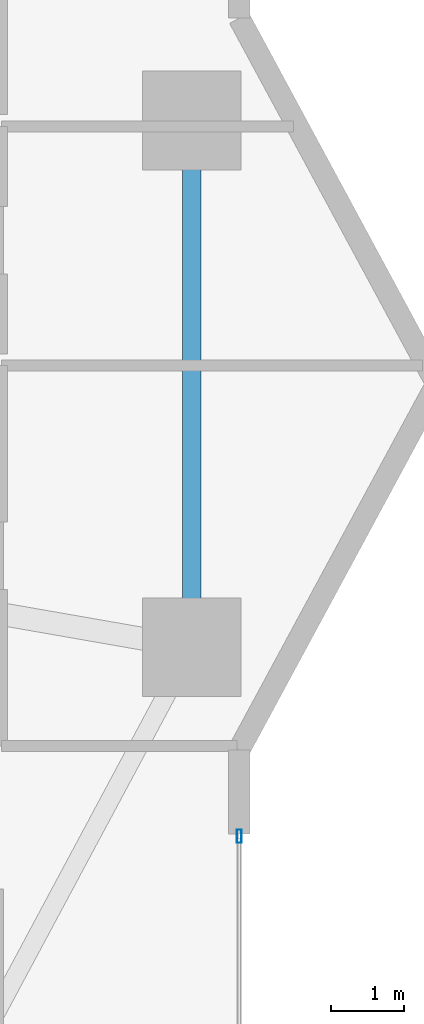
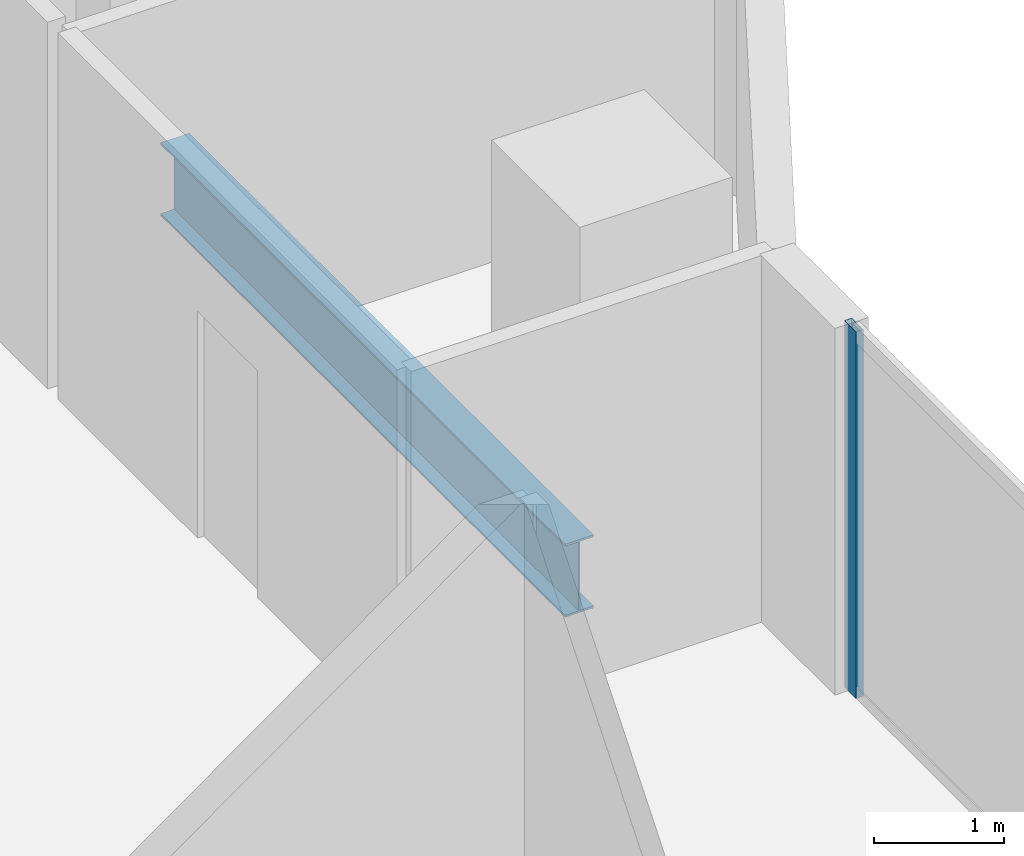
# One storey, part 13 of 27: 1 beam, 1 member, 1 element without a shape of its own.
"""IFC4 building model written with IfcOpenShell, lengths in metres."""

import ifcopenshell
import ifcopenshell.guid

model = None  # the IFC model being written
_history = None  # IfcOwnerHistory: only IFC2X3 demands one
_inside = {}  # id of a spatial element -> (the spatial element, [elements in it])
_under = {}  # id of a project, library or spatial element -> (it, [spatial elements below it])
_declared = {}  # id of a project -> (the project, [libraries it declares])
_typed = {}  # id of a type object -> (the type object, [elements of that type])
_made_of = {}  # id of a material, layer set ... -> (it, [elements and type objects made of it])


def new_model(schema):
    """Start an empty IFC model of exactly this schema.

    Asked for "IFC4X3", IfcOpenShell would pick the latest addendum, in which some entities
    have other attributes; the version numbers below select the first issue.
    IFC2X3 requires an IfcOwnerHistory on every rooted entity: one is made here for all.
    """
    global model, _history
    if schema == "IFC4X3":
        model = ifcopenshell.file(schema_version=(4, 3, 0, 0))
    else:
        model = ifcopenshell.file(schema=schema)
    _inside.clear()
    _under.clear()
    _declared.clear()
    _typed.clear()
    _made_of.clear()
    _history = None
    if model.schema == "IFC2X3":
        org = make("IfcOrganization", Name="unknown")
        user = make(
            "IfcPersonAndOrganization",
            ThePerson=make("IfcPerson", FamilyName="unknown"),
            TheOrganization=org,
        )
        app = make(
            "IfcApplication",
            ApplicationDeveloper=org,
            Version="unknown",
            ApplicationFullName="unknown",
            ApplicationIdentifier="unknown",
        )
        _history = make(
            "IfcOwnerHistory",
            OwningUser=user,
            OwningApplication=app,
            ChangeAction="ADDED",
            CreationDate=0,
        )
    return model


def make(cls, **values):
    """One entity of the class cls with the attributes given. An attribute that is None is left unset."""
    return model.create_entity(
        cls, **{name: value for name, value in values.items() if value is not None}
    )


def rooted(cls, **values):
    """An entity with a GlobalId (a new one), such as an element, a storey or a relation."""
    return make(cls, GlobalId=ifcopenshell.guid.new(), OwnerHistory=_history, **values)


def si_unit(unit_type, name, prefix=None):
    """IfcSIUnit, for example si_unit("LENGTHUNIT", "METRE", prefix="MILLI")."""
    return make("IfcSIUnit", UnitType=unit_type, Prefix=prefix, Name=name)


def assignment(units):
    """IfcUnitAssignment: the units of a project."""
    return None if units is None else make("IfcUnitAssignment", Units=units)


def point(xyz):
    """IfcCartesianPoint."""
    return None if xyz is None else make("IfcCartesianPoint", Coordinates=xyz)


def direction(xyz):
    """IfcDirection."""
    return None if xyz is None else make("IfcDirection", DirectionRatios=xyz)


def frame(location, z_axis=None, x_axis=None):
    """IfcAxis2Placement3D, a coordinate frame: its origin and axes. An axis left out is left unset."""
    return make(
        "IfcAxis2Placement3D",
        Location=point(location),
        Axis=direction(z_axis),
        RefDirection=direction(x_axis),
    )


def frame_2d(location, x_axis=None):
    """IfcAxis2Placement2D, a coordinate frame in the plane: its origin and x axis."""
    return make(
        "IfcAxis2Placement2D", Location=point(location), RefDirection=direction(x_axis)
    )


def origin():
    """The frame at (0, 0, 0) with its axes left unset."""
    return frame((0.0, 0.0, 0.0))


def origin_2d():
    """The frame at (0, 0) in the plane with its x axis left unset."""
    return frame_2d((0.0, 0.0))


def place(relative_to, where):
    """IfcLocalPlacement: puts the frame where relative to a parent placement (None: the world)."""
    return make(
        "IfcLocalPlacement", PlacementRelTo=relative_to, RelativePlacement=where
    )


def context(
    kind, dimensions, precision=None, world=None, true_north=None, identifier=None
):
    """IfcGeometricRepresentationContext, for example the 3D "Model" context."""
    return make(
        "IfcGeometricRepresentationContext",
        ContextIdentifier=identifier,
        ContextType=kind,
        CoordinateSpaceDimension=dimensions,
        Precision=precision,
        WorldCoordinateSystem=world,
        TrueNorth=true_north,
    )


def subcontext(parent, identifier, kind, view, scale=None):
    """IfcGeometricRepresentationSubContext, for example "Body" below "Model"."""
    return make(
        "IfcGeometricRepresentationSubContext",
        ContextIdentifier=identifier,
        ContextType=kind,
        ParentContext=parent,
        TargetScale=scale,
        TargetView=view,
    )


def project(units=None, contexts=None):
    """IfcProject with its units and contexts."""
    return rooted(
        "IfcProject",
        Name="project",
        RepresentationContexts=contexts,
        UnitsInContext=assignment(units),
    )


def spatial(cls, under=None, at=None, **own):
    """A site, building, storey or space (cls), placed at a placement, below another one or the project."""
    s = rooted(cls, ObjectPlacement=at, **own)
    if under is not None:
        _under.setdefault(under.id(), (under, []))[1].append(s)
    return s


def profile(cls, at=None, kind="AREA", **sizes):
    """A parametric profile (cls). Its sizes go by their IFC names, for example OverallWidth=200.0."""
    return make(cls, ProfileType=kind, Position=at, **sizes)


def hollow_rectangle(**sizes):
    """IfcRectangleHollowProfileDef."""
    return profile("IfcRectangleHollowProfileDef", **sizes)


def i_section(**sizes):
    """IfcIShapeProfileDef."""
    return profile("IfcIShapeProfileDef", **sizes)


def extrude(swept, where, along, depth):
    """IfcExtrudedAreaSolid: the profile swept, set in the frame where, extruded along a direction by depth."""
    return make(
        "IfcExtrudedAreaSolid",
        SweptArea=swept,
        Position=where,
        ExtrudedDirection=direction(along),
        Depth=depth,
    )


def shape(context_of_items, identifier, shape_type, items):
    """IfcShapeRepresentation: the items that make up one representation, for example the "Body"."""
    return make(
        "IfcShapeRepresentation",
        ContextOfItems=context_of_items,
        RepresentationIdentifier=identifier,
        RepresentationType=shape_type,
        Items=items,
    )


def material(Name=None, Category=None):
    """IfcMaterial."""
    return make("IfcMaterial", Name=Name, Category=Category)


def layer(
    of_material, thickness, ventilated=None, Name=None, Category=None, Priority=None
):
    """IfcMaterialLayer: one layer of a wall or slab, of a material (None: an air gap)."""
    return make(
        "IfcMaterialLayer",
        Material=of_material,
        LayerThickness=thickness,
        IsVentilated=ventilated,
        Name=Name,
        Category=Category,
        Priority=Priority,
    )


def layer_set(layers, Name=None):
    """IfcMaterialLayerSet."""
    return make("IfcMaterialLayerSet", MaterialLayers=layers, LayerSetName=Name)


def material_profile(
    of_material, cross_section, Name=None, Category=None, Priority=None
):
    """IfcMaterialProfile: a cross section and its material."""
    return make(
        "IfcMaterialProfile",
        Name=Name,
        Material=of_material,
        Profile=cross_section,
        Priority=Priority,
        Category=Category,
    )


def profile_set(profiles, Name=None, composite=None):
    """IfcMaterialProfileSet."""
    return make(
        "IfcMaterialProfileSet",
        Name=Name,
        MaterialProfiles=profiles,
        CompositeProfile=composite,
    )


def made_of(thing, what):
    """Note that an element or type object is made of a material, layer set ...; save() writes the relation."""
    if what is not None:
        _made_of.setdefault(what.id(), (what, []))[1].append(thing)
    return thing


def type_object(cls, material=None, **own):
    """A type object (cls), such as IfcWallType, which elements share."""
    return made_of(rooted(cls, **own), material)


def element(
    cls,
    number,
    at=None,
    inside=None,
    cuts=None,
    type_object=None,
    material=None,
    context=None,
    identifier="Body",
    shape_type=None,
    held_by="IfcProductDefinitionShape",
    body=None,
    shapes=None,
    **own,
):
    """One element of the class cls, such as IfcWall. Its Tag is "e" and its number.

    at: its placement. inside: the storey or other place that contains it. cuts: it is an
    opening in that element (IfcRelVoidsElement). A single representation is given by context,
    identifier, shape_type and body (its items); several are given by shapes. held_by: the class
    of the entity that holds the representations. save() writes the other relations.
    """
    e = rooted(cls, Tag="e%d" % number, ObjectPlacement=at, **own)
    if body is not None:
        shapes = [shape(context, identifier, shape_type, body)]
    if shapes is not None:
        e.Representation = make(held_by, Representations=shapes)
    if inside is not None:
        _inside.setdefault(inside.id(), (inside, []))[1].append(e)
    if cuts is not None:
        rooted(
            "IfcRelVoidsElement", RelatingBuildingElement=cuts, RelatedOpeningElement=e
        )
    if type_object is not None:
        _typed.setdefault(type_object.id(), (type_object, []))[1].append(e)
    return made_of(e, material)


def aggregate(whole, parts):
    """IfcRelAggregates: a whole, such as a stair, and the parts it consists of."""
    return rooted("IfcRelAggregates", RelatingObject=whole, RelatedObjects=parts)


def save(model, path):
    """Write the relations noted so far, then the file.

    IfcRelAggregates (storeys below a building ...), IfcRelContainedInSpatialStructure (elements
    in a storey), IfcRelDefinesByType, IfcRelAssociatesMaterial and IfcRelDeclares: one each for
    every whole, place, type object, material and project.
    """
    for whole, parts in _under.values():
        aggregate(whole, parts)
    for where, things in _inside.values():
        rooted(
            "IfcRelContainedInSpatialStructure",
            RelatedElements=things,
            RelatingStructure=where,
        )
    for kind, things in _typed.values():
        rooted("IfcRelDefinesByType", RelatedObjects=things, RelatingType=kind)
    for what, things in _made_of.values():
        rooted("IfcRelAssociatesMaterial", RelatedObjects=things, RelatingMaterial=what)
    for by, libraries in _declared.values():
        rooted("IfcRelDeclares", RelatingContext=by, RelatedDefinitions=libraries)
    model.write(path)


model = new_model("IFC4")

# Units and contexts
model_context = context("Model", 3, precision=1e-05, world=origin(), true_north=direction((0.0, 1.0)))
body_context = subcontext(model_context, "Body", "Model", "MODEL_VIEW")
ifc_project = project(units=[si_unit("LENGTHUNIT", "METRE"), si_unit("AREAUNIT", "SQUARE_METRE"), si_unit("VOLUMEUNIT", "CUBIC_METRE"), si_unit("PLANEANGLEUNIT", "RADIAN"), si_unit("MASSUNIT", "GRAM", prefix="KILO")], contexts=[model_context])

# Site, building, storey
site_placement = place(None, origin())
site = spatial("IfcSite", under=ifc_project, at=site_placement, CompositionType="ELEMENT")
building_placement = place(site_placement, origin())
building = spatial("IfcBuilding", under=site, at=building_placement, Name="Zuhayl Quay Hotel", CompositionType="ELEMENT")
storey_placement = place(building_placement, frame((0.0, 0.0, 124.85009765625)))
storey = spatial("IfcBuildingStorey", under=building, at=storey_placement, Name="L31", CompositionType="ELEMENT", Elevation=124.85009765625)

# Beam
ifc_material_1 = material(Name="Steel ASTM A992 Grade 50", Category="steel")
ifc_material_profile_1 = material_profile(ifc_material_1, i_section(OverallWidth=0.25390625, OverallDepth=0.68310546875, WebThickness=0.012451171875, FlangeThickness=0.018798828125, at=origin_2d()), Name="W27X94")
ifc_profile_set_1 = profile_set([ifc_material_profile_1], Name="Steel ASTM A992 Grade 50")
beam_type = type_object("IfcBeamType", Name="BM_B2_W27X94", PredefinedType="BEAM", material=ifc_profile_set_1)
beam_placement = place(storey_placement, frame((23.25, 3.39990234375, -0.5615234375), z_axis=(0.0, 1.0, 0.0), x_axis=(-1.0, 0.0, 0.0)))
element("IfcBeam", 1, at=beam_placement, inside=storey, type_object=beam_type, Name="L31 Floor Beam RG_L31_05", PredefinedType="BEAM", context=body_context, shape_type="SweptSolid", body=[
    extrude(i_section(OverallWidth=0.25390625, OverallDepth=0.68310546875, WebThickness=0.012451171875, FlangeThickness=0.018798828125, at=origin_2d()), origin(), (0.0, 0.0, 1.0), 6.2001953125),
])

# Curtain wall, member
ifc_material_2 = material(Name="Anodised Aluminium 6063-T6", Category="aluminium")
ifc_layer = layer(ifc_material_2, 0.179931640625, Name="Anodised Aluminium 6063-T6", Category="aluminium")
ifc_layer_set = layer_set([ifc_layer], Name="Anodised Aluminium 6063-T6")
curtain_wall_type = type_object("IfcCurtainWallType", Name="CW_SYS_Z2", PredefinedType="USERDEFINED", material=ifc_layer_set)
curtain_wall_placement = place(storey_placement, origin())
curtain_wall = element("IfcCurtainWall", 2, at=curtain_wall_placement, inside=storey, type_object=curtain_wall_type, Name="L31 Curtain Wall ENV_L31_E14_CW1", ObjectType="UNITISED CURTAIN WALL", PredefinedType="USERDEFINED")
ifc_material_3 = material(Name="Black-anodised aluminium 6063-T6", Category="aluminium")
ifc_material_profile_2 = material_profile(ifc_material_3, hollow_rectangle(XDim=0.06494140625, YDim=0.179931640625, WallThickness=0.00341796875, at=origin_2d()), Name="ALU180X65")
ifc_profile_set_2 = profile_set([ifc_material_profile_2], Name="Black-anodised aluminium 6063-T6")
member_type = type_object("IfcMemberType", Name="MB_CW_MUL_180", PredefinedType="MULLION", material=ifc_profile_set_2)
member_placement = place(storey_placement, frame((23.89990234375, 0.3173828125, 0.0), z_axis=(0.0, 0.0, 1.0), x_axis=(1.0, 0.0, 0.0)))
member = element("IfcMember", 3, at=member_placement, type_object=member_type, Name="CW-Z2 mullion 1", PredefinedType="MULLION", context=body_context, shape_type="SweptSolid", body=[
    extrude(hollow_rectangle(XDim=0.06494140625, YDim=0.179931640625, WallThickness=0.00341796875, at=origin_2d()), origin(), (0.0, 0.0, 1.0), 3.429931640625),
])
aggregate(curtain_wall, [member])

save(model, "model.ifc")
